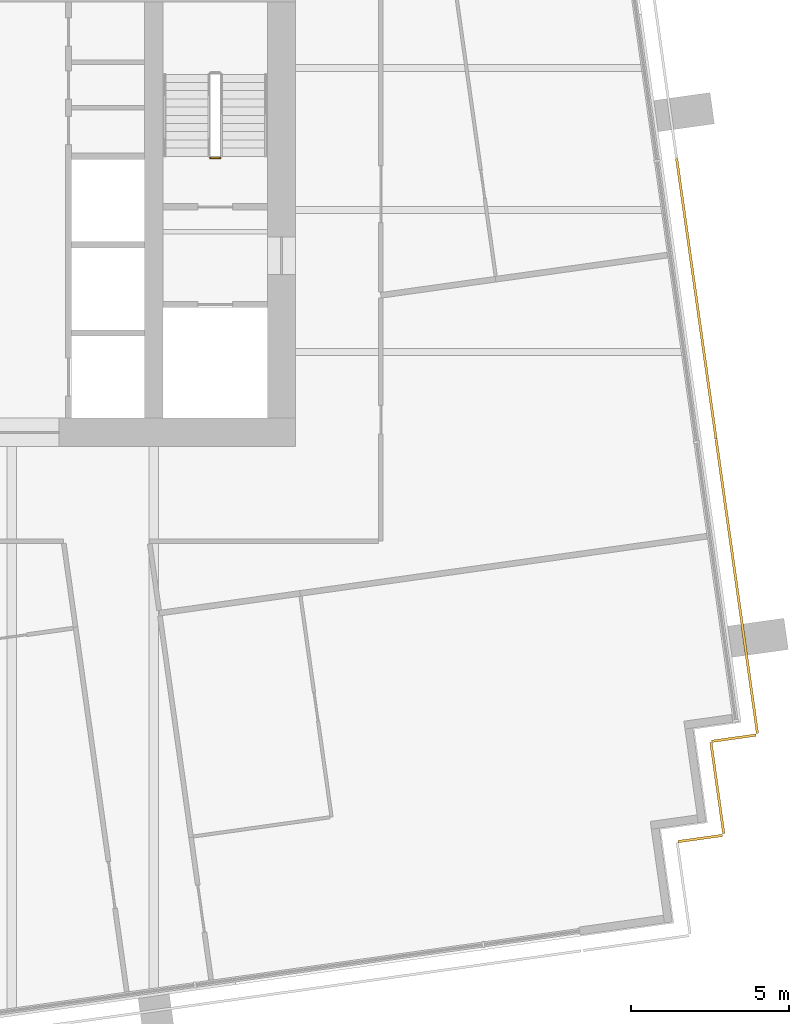
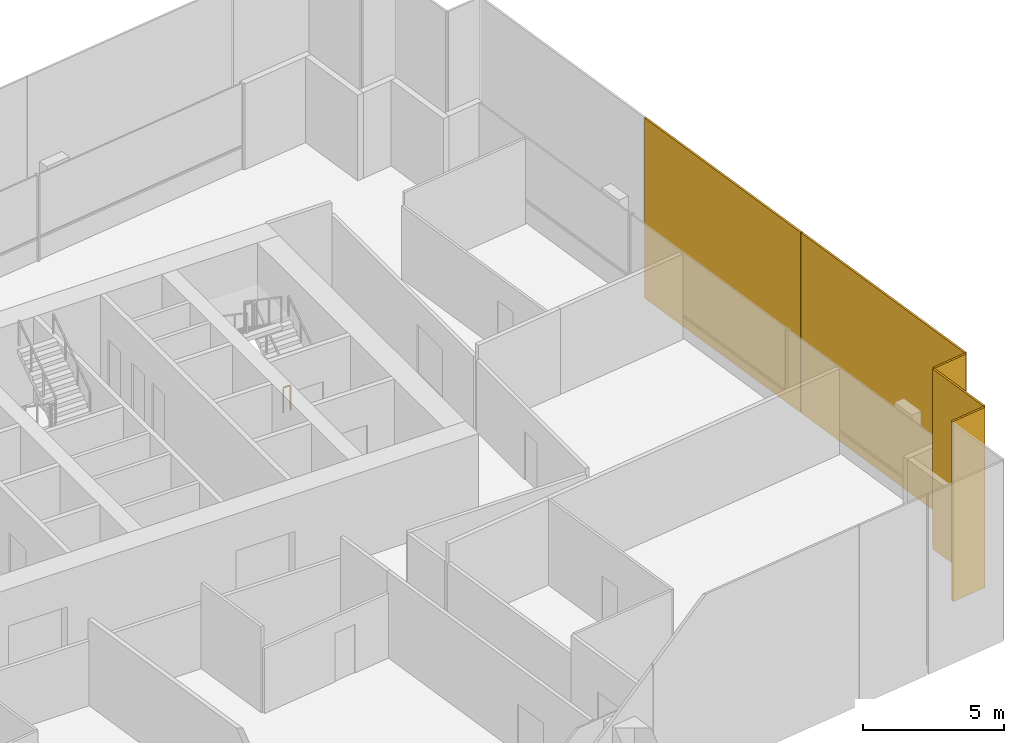
# One storey, part 15 of 17: 5 coverings, 1 railing.
"""IFC4 building model written with IfcOpenShell, lengths in metres."""

from ifc_helpers import new_model, si_unit, direction, frame, origin, origin_2d, place, context, subcontext, project, spatial, rectangle, extrude, material, layer, layer_set, type_object, element, save


model = new_model("IFC4")

# Units and contexts
model_context = context("Model", 3, precision=1e-05, world=origin(), true_north=direction((0.0, 1.0)))
body_context = subcontext(model_context, "Body", "Model", "MODEL_VIEW")
ifc_project = project(units=[si_unit("LENGTHUNIT", "METRE"), si_unit("AREAUNIT", "SQUARE_METRE"), si_unit("VOLUMEUNIT", "CUBIC_METRE"), si_unit("PLANEANGLEUNIT", "RADIAN"), si_unit("MASSUNIT", "GRAM", prefix="KILO")], contexts=[model_context])

# Site, building, storey
site_placement = place(None, origin())
site = spatial("IfcSite", under=ifc_project, at=site_placement, CompositionType="ELEMENT")
building_placement = place(site_placement, origin())
building = spatial("IfcBuilding", under=site, at=building_placement, Name="Rattan Terrace Tower", CompositionType="ELEMENT")
storey_placement = place(building_placement, frame((0.0, 0.0, 236.89990234375)))
storey = spatial("IfcBuildingStorey", under=building, at=storey_placement, Name="L54", CompositionType="ELEMENT", Elevation=236.89990234375)

# Railing
ifc_material_1 = material(Name="Powder-coated steel guard", Category="steel")
railing_type = type_object("IfcRailingType", Name="Core stair guard", PredefinedType="GUARDRAIL", material=ifc_material_1)
railing_placement = place(storey_placement, frame((15.60009765625, 1.64990234375, 0.0)))
element("IfcRailing", 1, at=railing_placement, inside=storey, type_object=railing_type, Name="L54 S2 stair guard 4", PredefinedType="GUARDRAIL", context=body_context, shape_type="SweptSolid", body=[
    extrude(rectangle(XDim=0.048095703125, YDim=0.048095703125, at=origin_2d()), frame((0.0, 0.0, 1.076171875), z_axis=(-1.0, 0.0, 0.0), x_axis=(0.0, -1.0, 0.0)), (0.0, 0.0, 1.0), 0.300048828125),
    extrude(rectangle(XDim=0.0419921875, YDim=0.0419921875, at=origin_2d()), origin(), (0.0, 0.0, 1.0), 1.052001953125),
    extrude(rectangle(XDim=0.0419921875, YDim=0.0419921875, at=origin_2d()), frame((-0.300048828125, 0.0, 0.0)), (0.0, 0.0, 1.0), 1.052001953125),
])

# Coverings
ifc_material_2 = material(Name="Perforated terracotta", Category="masonry")
ifc_layer = layer(ifc_material_2, 0.080078125)
ifc_layer_set = layer_set([ifc_layer], Name="Facade Terracotta Screen Panel HZ")
covering_type = type_object("IfcCoveringType", Name="Facade Terracotta Screen Panel HZ", PredefinedType="CLADDING", material=ifc_layer_set)
covering_1_placement = place(storey_placement, frame((30.8251953125, -19.927001953125, -0.18994140625), z_axis=(0.0, 0.0, 1.0), x_axis=(0.990332587523, 0.138713251317, 0.0)))
element("IfcCovering", 2, at=covering_1_placement, inside=storey, type_object=covering_type, Name="OUTER SKIN panel L54-3", PredefinedType="CLADDING", context=body_context, shape_type="SweptSolid", body=[
    extrude(rectangle(XDim=1.419677734375, YDim=0.080078125, at=origin_2d()), origin(), (0.0, 0.0, 1.0), 7.780029296875),
])
covering_2_placement = place(storey_placement, frame((31.3671875, -18.326171875, -0.18994140625), z_axis=(0.0, 0.0, 1.0), x_axis=(-0.139321220646, 0.990247240581, 0.0)))
element("IfcCovering", 3, at=covering_2_placement, inside=storey, type_object=covering_type, Name="OUTER SKIN panel L54-4", PredefinedType="CLADDING", context=body_context, shape_type="SweptSolid", body=[
    extrude(rectangle(XDim=2.92041015625, YDim=0.080078125, at=origin_2d()), origin(), (0.0, 0.0, 1.0), 7.780029296875),
])
covering_3_placement = place(storey_placement, frame((31.892578125, -16.747314453125, -0.18994140625), z_axis=(0.0, 0.0, 1.0), x_axis=(0.99025370695, 0.139275252184, 0.0)))
element("IfcCovering", 4, at=covering_3_placement, inside=storey, type_object=covering_type, Name="OUTER SKIN panel L54-5", PredefinedType="CLADDING", context=body_context, shape_type="SweptSolid", body=[
    extrude(rectangle(XDim=1.420654296875, YDim=0.080078125, at=origin_2d()), origin(), (0.0, 0.0, 1.0), 7.780029296875),
])
covering_4_placement = place(storey_placement, frame((31.984375, -11.937744140625, -0.18994140625), z_axis=(0.0, 0.0, 1.0), x_axis=(-0.139186165309, 0.990266232579, 0.0)))
element("IfcCovering", 5, at=covering_4_placement, inside=storey, type_object=covering_type, Name="OUTER SKIN panel L54-6", PredefinedType="CLADDING", context=body_context, shape_type="SweptSolid", body=[
    extrude(rectangle(XDim=9.39990234375, YDim=0.080078125, at=origin_2d()), origin(), (0.0, 0.0, 1.0), 7.780029296875),
])
covering_5_placement = place(storey_placement, frame((30.702392578125, -2.8173828125, -0.18994140625), z_axis=(0.0, 0.0, 1.0), x_axis=(-0.139186165309, 0.990266232579, 0.0)))
element("IfcCovering", 6, at=covering_5_placement, inside=storey, type_object=covering_type, Name="OUTER SKIN panel L54-7", PredefinedType="CLADDING", context=body_context, shape_type="SweptSolid", body=[
    extrude(rectangle(XDim=8.97998046875, YDim=0.080078125, at=origin_2d()), origin(), (0.0, 0.0, 1.0), 7.780029296875),
])

save(model, "model.ifc")
